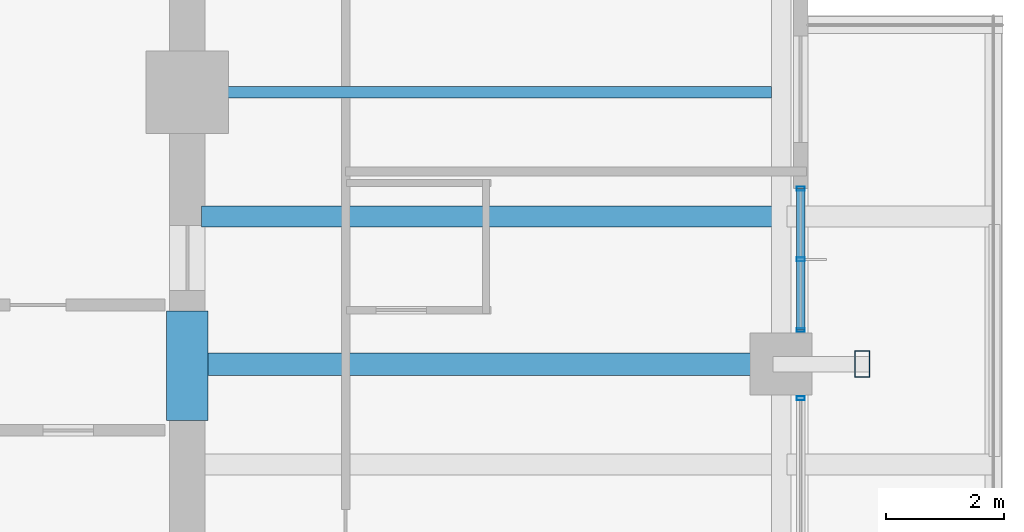
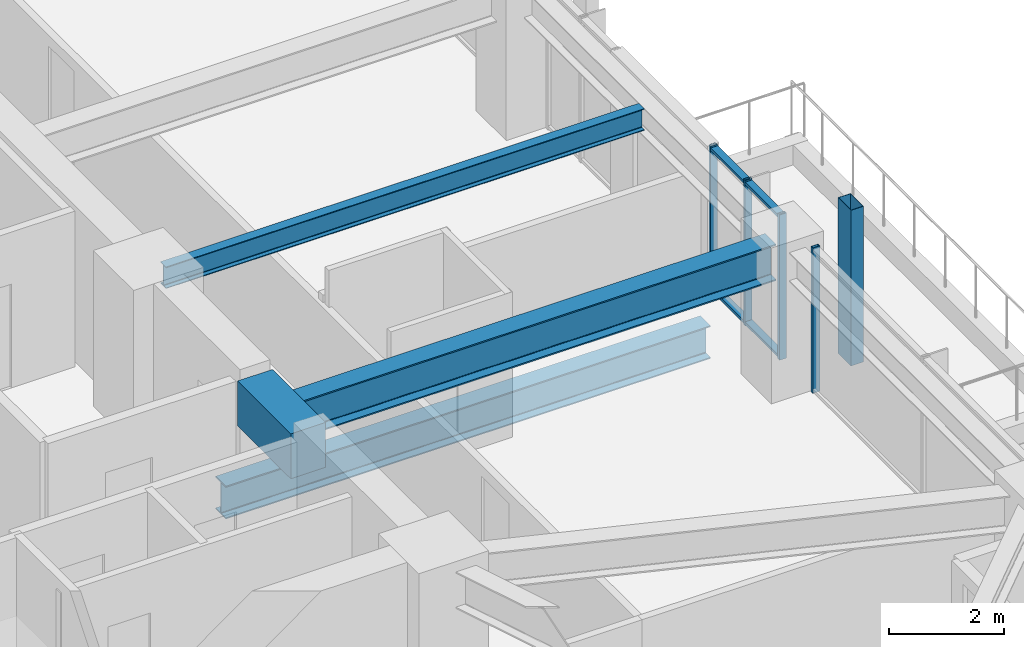
# One storey, part 14 of 37: 7 members, 4 beams, 2 elements without a shape of their own.
"""IFC4 building model written with IfcOpenShell, lengths in metres."""

from ifc_helpers import new_model, si_unit, direction, frame, origin, origin_2d, place, context, subcontext, project, spatial, rectangle, hollow_rectangle, i_section, extrude, material, material_profile, profile_set, type_object, element, aggregate, save


model = new_model("IFC4")

# Units and contexts
model_context = context("Model", 3, precision=1e-05, world=origin(), true_north=direction((0.0, 1.0)))
body_context = subcontext(model_context, "Body", "Model", "MODEL_VIEW")
ifc_project = project(units=[si_unit("LENGTHUNIT", "METRE"), si_unit("AREAUNIT", "SQUARE_METRE"), si_unit("VOLUMEUNIT", "CUBIC_METRE"), si_unit("PLANEANGLEUNIT", "RADIAN"), si_unit("MASSUNIT", "GRAM", prefix="KILO")], contexts=[model_context])

# Site, building, storey
site_placement = place(None, origin())
site = spatial("IfcSite", under=ifc_project, at=site_placement, CompositionType="ELEMENT")
building_placement = place(site_placement, origin())
building = spatial("IfcBuilding", under=site, at=building_placement, Name="Kolvaren Belvedere", CompositionType="ELEMENT")
storey_placement = place(building_placement, frame((0.0, 0.0, 82.10009765625)))
storey = spatial("IfcBuildingStorey", under=building, at=storey_placement, Name="L23", CompositionType="ELEMENT", Elevation=82.10009765625)

# Beams
ifc_material_1 = material(Name="Structural steel ASTM A992 Grade 50", Category="steel")
ifc_material_profile_1 = material_profile(ifc_material_1, i_section(OverallWidth=0.35498046875, OverallDepth=0.696044921875, WebThickness=0.015380859375, FlangeThickness=0.02490234375, FilletRadius=0.02197265625, at=origin_2d()), Name="W27X146")
ifc_profile_set_1 = profile_set([ifc_material_profile_1], Name="Structural steel ASTM A992 Grade 50")
beam_type_1 = type_object("IfcBeamType", Name="BM-GIRD-W27X146", PredefinedType="BEAM", material=ifc_profile_set_1)
beam_1_placement = place(storey_placement, frame((10.139892578125, -2.10009765625, -0.568115234375), z_axis=(1.0, 0.0, 0.0), x_axis=(0.0, 1.0, 0.0)))
element("IfcBeam", 1, at=beam_1_placement, inside=storey, type_object=beam_type_1, Name="L23 Balcony Interior Back-Span Girder SPIRAL-03-E-2", PredefinedType="BEAM", context=body_context, shape_type="SweptSolid", body=[
    extrude(i_section(OverallWidth=0.35498046875, OverallDepth=0.696044921875, WebThickness=0.015380859375, FlangeThickness=0.02490234375, FilletRadius=0.02197265625, at=origin_2d()), origin(), (0.0, 0.0, 1.0), 9.715087890625),
])
ifc_material_2 = material(Name="Structural steel ASTM A992 Grade 50", Category="steel")
ifc_material_profile_2 = material_profile(ifc_material_2, i_section(OverallWidth=0.381103515625, OverallDepth=0.77294921875, WebThickness=0.0166015625, FlangeThickness=0.027099609375, FilletRadius=0.02392578125, at=origin_2d()), Name="W30X173")
ifc_profile_set_2 = profile_set([ifc_material_profile_2], Name="Structural steel ASTM A992 Grade 50")
beam_type_2 = type_object("IfcBeamType", Name="BM-GIRD-W30X173", PredefinedType="BEAM", material=ifc_profile_set_2)
beam_2_placement = place(storey_placement, frame((10.199951171875, -4.60009765625, 2.693359375), z_axis=(1.0, 0.0, 0.0), x_axis=(0.0, 1.0, 0.0)))
element("IfcBeam", 2, at=beam_2_placement, inside=storey, type_object=beam_type_2, Name="L23 East Radial Girder M", PredefinedType="BEAM", context=body_context, shape_type="SweptSolid", body=[
    extrude(i_section(OverallWidth=0.381103515625, OverallDepth=0.77294921875, WebThickness=0.0166015625, FlangeThickness=0.027099609375, FilletRadius=0.02392578125, at=origin_2d()), origin(), (0.0, 0.0, 1.0), 9.513916015625),
])
ifc_material_3 = material(Name="Structural steel ASTM A992 Grade 50", Category="steel")
ifc_material_profile_3 = material_profile(ifc_material_3, i_section(OverallWidth=0.19091796875, OverallDepth=0.4599609375, WebThickness=0.010009765625, FlangeThickness=0.01611328125, FilletRadius=0.014892578125, at=origin_2d()), Name="W18X55")
ifc_profile_set_3 = profile_set([ifc_material_profile_3], Name="Structural steel ASTM A992 Grade 50")
beam_type_3 = type_object("IfcBeamType", Name="BM-JOIST-W18X55", PredefinedType="BEAM", material=ifc_profile_set_3)
beam_3_placement = place(storey_placement, frame((10.199951171875, 0.0, 2.849853515625), z_axis=(1.0, 0.0, 0.0), x_axis=(0.0, 1.0, 0.0)))
element("IfcBeam", 3, at=beam_3_placement, inside=storey, type_object=beam_type_3, Name="L23 East Centre Floor Beam", PredefinedType="BEAM", context=body_context, shape_type="SweptSolid", body=[
    extrude(i_section(OverallWidth=0.19091796875, OverallDepth=0.4599609375, WebThickness=0.010009765625, FlangeThickness=0.01611328125, FilletRadius=0.014892578125, at=origin_2d()), origin(), (0.0, 0.0, 1.0), 9.587646484375),
])
ifc_material_4 = material(Name="Concrete C60/75", Category="concrete")
ifc_material_profile_4 = material_profile(ifc_material_4, rectangle(XDim=0.699951171875, YDim=0.949951171875, at=origin_2d()), Name="RC 700X950")
ifc_profile_set_4 = profile_set([ifc_material_profile_4], Name="Concrete C60/75")
beam_type_4 = type_object("IfcBeamType", Name="BM-LINT-950", PredefinedType="LINTEL", material=ifc_profile_set_4)
beam_4_placement = place(storey_placement, frame((9.89990234375, -5.550048828125, 2.60498046875), z_axis=(0.0, 1.0, 0.0), x_axis=(-1.0, 0.0, 0.0)))
element("IfcBeam", 4, at=beam_4_placement, inside=storey, type_object=beam_type_4, Name="L23 East Core Coupling Lintel", PredefinedType="LINTEL", context=body_context, shape_type="SweptSolid", body=[
    extrude(rectangle(XDim=0.699951171875, YDim=0.949951171875, at=origin_2d()), origin(), (0.0, 0.0, 1.0), 1.85009765625),
])

# Curtain wall, members
ifc_material_5 = material(Name="Anodised pale-metal aluminium AA 6063-T6", Category="aluminium")
curtain_wall_type = type_object("IfcCurtainWallType", Name="CW-Z2-MID", PredefinedType="NOTDEFINED", material=ifc_material_5)
curtain_wall_1_placement = place(storey_placement, origin())
curtain_wall_1 = element("IfcCurtainWall", 5, at=curtain_wall_1_placement, inside=storey, type_object=curtain_wall_type, Name="L23 Unitised Curtain Wall FCW-L23-E2-B1", PredefinedType="NOTDEFINED")
ifc_material_6 = material(Name="Anodised pale-metal aluminium AA 6063-T6", Category="aluminium")
ifc_material_profile_5 = material_profile(ifc_material_6, hollow_rectangle(XDim=0.06494140625, YDim=0.139892578125, WallThickness=0.00390625, at=origin_2d()), Name="ALU-MUL-140X65")
ifc_profile_set_5 = profile_set([ifc_material_profile_5], Name="Anodised pale-metal aluminium AA 6063-T6")
member_type_1 = type_object("IfcMemberType", Name="CW-MUL-140", PredefinedType="MULLION", material=ifc_profile_set_5)
member_1_placement = place(storey_placement, frame((20.280029296875, -1.6298828125, 0.0), z_axis=(0.0, 0.0, 1.0), x_axis=(0.0, 1.0, 0.0)))
member_1 = element("IfcMember", 6, at=member_1_placement, type_object=member_type_1, Name="FCW-L23-E2-B1 Unitised Mullion 1", PredefinedType="MULLION", context=body_context, shape_type="SweptSolid", body=[
    extrude(hollow_rectangle(XDim=0.06494140625, YDim=0.139892578125, WallThickness=0.00390625, at=origin_2d()), origin(), (0.0, 0.0, 1.0), 3.079833984375),
])
member_2_placement = place(storey_placement, frame((20.280029296875, -2.826171875, 0.0), z_axis=(0.0, 0.0, 1.0), x_axis=(0.0, 1.0, 0.0)))
member_2 = element("IfcMember", 7, at=member_2_placement, type_object=member_type_1, Name="FCW-L23-E2-B1 Unitised Mullion 2", PredefinedType="MULLION", context=body_context, shape_type="SweptSolid", body=[
    extrude(hollow_rectangle(XDim=0.06494140625, YDim=0.139892578125, WallThickness=0.00390625, at=origin_2d()), origin(), (0.0, 0.0, 1.0), 3.079833984375),
])
member_3_placement = place(storey_placement, frame((20.280029296875, -4.0224609375, 0.0), z_axis=(0.0, 0.0, 1.0), x_axis=(0.0, 1.0, 0.0)))
member_3 = element("IfcMember", 8, at=member_3_placement, type_object=member_type_1, Name="FCW-L23-E2-B1 Unitised Mullion 3", PredefinedType="MULLION", context=body_context, shape_type="SweptSolid", body=[
    extrude(hollow_rectangle(XDim=0.06494140625, YDim=0.139892578125, WallThickness=0.00390625, at=origin_2d()), origin(), (0.0, 0.0, 1.0), 3.079833984375),
])

# Curtain wall, member
curtain_wall_2_placement = place(storey_placement, origin())
curtain_wall_2 = element("IfcCurtainWall", 9, at=curtain_wall_2_placement, inside=storey, type_object=curtain_wall_type, Name="L23 Unitised Curtain Wall FCW-L23-E2-B2", PredefinedType="NOTDEFINED")
member_4_placement = place(storey_placement, frame((20.280029296875, -5.177490234375, 0.0), z_axis=(0.0, 0.0, 1.0), x_axis=(0.0, 1.0, 0.0)))
member_4 = element("IfcMember", 10, at=member_4_placement, type_object=member_type_1, Name="FCW-L23-E2-B2 Unitised Mullion 1", PredefinedType="MULLION", context=body_context, shape_type="SweptSolid", body=[
    extrude(hollow_rectangle(XDim=0.06494140625, YDim=0.139892578125, WallThickness=0.00390625, at=origin_2d()), origin(), (0.0, 0.0, 1.0), 3.079833984375),
])
aggregate(curtain_wall_2, [member_4])

# Member
ifc_material_7 = material(Name="Anodised pale-metal aluminium AA 6063-T6", Category="aluminium")
ifc_material_profile_6 = material_profile(ifc_material_7, hollow_rectangle(XDim=0.06005859375, YDim=0.139892578125, WallThickness=0.00390625, at=origin_2d()), Name="ALU-TRN-140X60")
ifc_profile_set_6 = profile_set([ifc_material_profile_6], Name="Anodised pale-metal aluminium AA 6063-T6")
member_type_2 = type_object("IfcMemberType", Name="CW-TRN-140", PredefinedType="USERDEFINED", material=ifc_profile_set_6)
member_5_placement = place(storey_placement, frame((20.280029296875, -1.6298828125, 0.059814453125), z_axis=(0.0, -1.0, 0.0), x_axis=(0.0, 0.0, 1.0)))
member_5 = element("IfcMember", 11, at=member_5_placement, type_object=member_type_2, Name="FCW-L23-E2-B1 Sill Transom", ObjectType="TRANSOM", PredefinedType="USERDEFINED", context=body_context, shape_type="SweptSolid", body=[
    extrude(hollow_rectangle(XDim=0.06005859375, YDim=0.139892578125, WallThickness=0.00390625, at=origin_2d()), origin(), (0.0, 0.0, 1.0), 2.392578125),
])

member_6_placement = place(storey_placement, frame((20.280029296875, -1.6298828125, 3.02001953125), z_axis=(0.0, -1.0, 0.0), x_axis=(0.0, 0.0, 1.0)))
member_6 = element("IfcMember", 12, at=member_6_placement, type_object=member_type_2, Name="FCW-L23-E2-B1 Head Transom", ObjectType="TRANSOM", PredefinedType="USERDEFINED", context=body_context, shape_type="SweptSolid", body=[
    extrude(hollow_rectangle(XDim=0.06005859375, YDim=0.139892578125, WallThickness=0.00390625, at=origin_2d()), origin(), (0.0, 0.0, 1.0), 2.392578125),
])

aggregate(curtain_wall_1, [member_1, member_2, member_3, member_5, member_6])

ifc_material_8 = material(Name="Anodised pale-metal aluminium AA 6063-T6", Category="aluminium")
ifc_material_profile_7 = material_profile(ifc_material_8, hollow_rectangle(XDim=0.25, YDim=0.449951171875, WallThickness=0.008544921875, at=origin_2d()), Name="ALU-PF-450X250")
ifc_profile_set_7 = profile_set([ifc_material_profile_7], Name="Anodised pale-metal aluminium AA 6063-T6")
member_type_3 = type_object("IfcMemberType", Name="PF-FRAME-450", PredefinedType="USERDEFINED", material=ifc_profile_set_7)
member_7_placement = place(storey_placement, frame((21.320068359375, -4.60009765625, 0.0), z_axis=(0.0, 0.0, 1.0), x_axis=(1.0, 0.0, 0.0)))
element("IfcMember", 13, at=member_7_placement, inside=storey, type_object=member_type_3, Name="L23 Outboard Picture-Frame Vertical E2", ObjectType="PICTURE FRAME FIN", PredefinedType="USERDEFINED", context=body_context, shape_type="SweptSolid", body=[
    extrude(hollow_rectangle(XDim=0.25, YDim=0.449951171875, WallThickness=0.008544921875, at=origin_2d()), origin(), (0.0, 0.0, 1.0), 3.2998046875),
])

save(model, "model.ifc")
